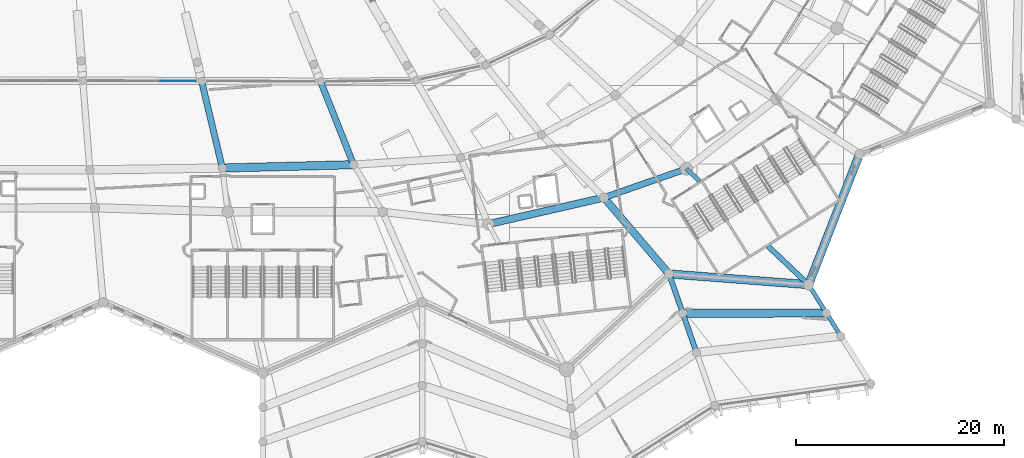
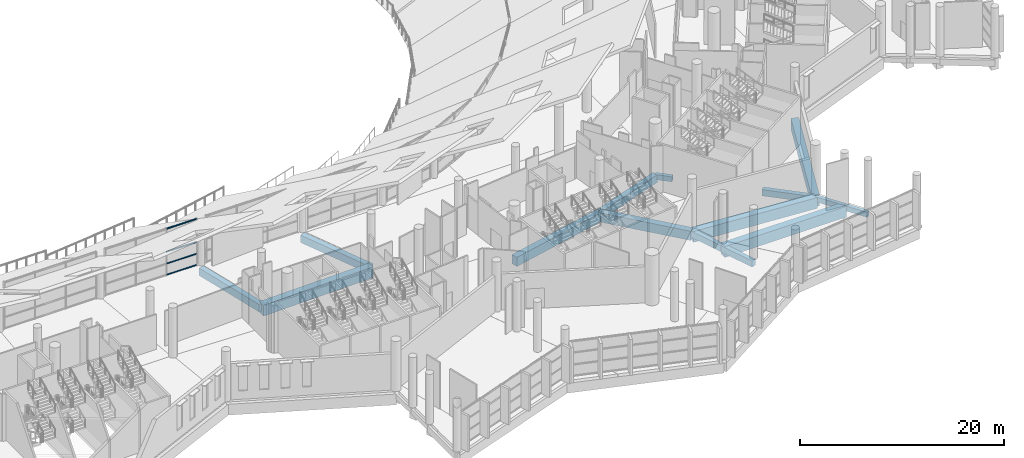
# One storey, part 33 of 249: 15 beams, 4 members, 1 element without a shape of its own.
"""IFC4 building model written with IfcOpenShell, lengths in metres."""

from ifc_helpers import new_model, si_unit, direction, frame, origin, origin_2d, place, context, subcontext, project, spatial, rectangle, extrude, material, layer, layer_set, material_profile, profile_set, type_object, element, aggregate, save


model = new_model("IFC4")

# Units and contexts
model_context = context("Model", 3, precision=1e-05, world=origin(), true_north=direction((0.0, 1.0)))
body_context = subcontext(model_context, "Body", "Model", "MODEL_VIEW")
ifc_project = project(units=[si_unit("LENGTHUNIT", "METRE"), si_unit("AREAUNIT", "SQUARE_METRE"), si_unit("VOLUMEUNIT", "CUBIC_METRE"), si_unit("PLANEANGLEUNIT", "RADIAN"), si_unit("MASSUNIT", "GRAM", prefix="KILO")], contexts=[model_context])

# Site, building, storey
site_placement = place(None, origin())
site = spatial("IfcSite", under=ifc_project, at=site_placement, CompositionType="ELEMENT")
building_placement = place(site_placement, origin())
building = spatial("IfcBuilding", under=site, at=building_placement, Name="Meseta Stadium", CompositionType="ELEMENT")
storey_placement = place(building_placement, frame((0.0, 0.0, 12.0)))
storey = spatial("IfcBuildingStorey", under=building, at=storey_placement, Name="L02", CompositionType="ELEMENT", Elevation=12.0)

# Curtain wall, members
ifc_material_1 = material(Name="Aluminium", Category="aluminium")
ifc_layer = layer(ifc_material_1, 0.199951171875)
ifc_layer_set = layer_set([ifc_layer], Name="Suite glazing curtain wall")
curtain_wall_type = type_object("IfcCurtainWallType", Name="Suite glazing curtain wall", PredefinedType="NOTDEFINED", material=ifc_layer_set)
curtain_wall_placement = place(storey_placement, origin())
curtain_wall = element("IfcCurtainWall", 1, at=curtain_wall_placement, inside=storey, type_object=curtain_wall_type, Name="Suite glazing bay 47", PredefinedType="NOTDEFINED")
ifc_material_2 = material(Name="Aluminium", Category="aluminium")
ifc_material_profile_1 = material_profile(ifc_material_2, rectangle(XDim=0.06005859375, YDim=0.14990234375, at=origin_2d()), Name="CW 60x150")
ifc_profile_set_1 = profile_set([ifc_material_profile_1], Name="Aluminium")
member_type = type_object("IfcMemberType", Name="CW transom 60x150", PredefinedType="USERDEFINED", material=ifc_profile_set_1)
member_1_placement = place(storey_placement, frame((13.181884765625, -77.322265625, 0.074951171875), z_axis=(0.999996827151, -0.002519064989, 0.0), x_axis=(0.002519064989, 0.999996827151, 0.0)))
member_1 = element("IfcMember", 2, at=member_1_placement, type_object=member_type, Name="CWS transom 3.1", ObjectType="TRANSOM", PredefinedType="USERDEFINED", context=body_context, shape_type="SweptSolid", body=[
    extrude(rectangle(XDim=0.06005859375, YDim=0.14990234375, at=origin_2d()), origin(), (0.0, 0.0, 1.0), 3.39208984375),
])
member_2_placement = place(storey_placement, frame((13.181884765625, -77.322265625, 1.41259765625), z_axis=(0.999996827151, -0.002519064989, 0.0), x_axis=(0.002519064989, 0.999996827151, 0.0)))
member_2 = element("IfcMember", 3, at=member_2_placement, type_object=member_type, Name="CWS transom 3.2", ObjectType="TRANSOM", PredefinedType="USERDEFINED", context=body_context, shape_type="SweptSolid", body=[
    extrude(rectangle(XDim=0.06005859375, YDim=0.14990234375, at=origin_2d()), origin(), (0.0, 0.0, 1.0), 3.39208984375),
])
member_3_placement = place(storey_placement, frame((13.181884765625, -77.322265625, 2.824951171875), z_axis=(0.999996827151, -0.002519064989, 0.0), x_axis=(0.002519064989, 0.999996827151, 0.0)))
member_3 = element("IfcMember", 4, at=member_3_placement, type_object=member_type, Name="CWS transom 3.3", ObjectType="TRANSOM", PredefinedType="USERDEFINED", context=body_context, shape_type="SweptSolid", body=[
    extrude(rectangle(XDim=0.06005859375, YDim=0.14990234375, at=origin_2d()), origin(), (0.0, 0.0, 1.0), 3.39208984375),
])
member_4_placement = place(storey_placement, frame((13.181884765625, -77.322265625, 5.574951171875), z_axis=(0.999996827151, -0.002519064989, 0.0), x_axis=(0.002519064989, 0.999996827151, 0.0)))
member_4 = element("IfcMember", 5, at=member_4_placement, type_object=member_type, Name="CWS transom 3.4", ObjectType="TRANSOM", PredefinedType="USERDEFINED", context=body_context, shape_type="SweptSolid", body=[
    extrude(rectangle(XDim=0.06005859375, YDim=0.14990234375, at=origin_2d()), origin(), (0.0, 0.0, 1.0), 3.39208984375),
])
aggregate(curtain_wall, [member_1, member_2, member_3, member_4])

# Beams
ifc_material_3 = material(Name="Concrete C40/50", Category="concrete")
ifc_material_profile_2 = material_profile(ifc_material_3, rectangle(XDim=0.39990234375, YDim=0.60009765625, at=origin_2d()), Name="RC 400x600")
ifc_profile_set_2 = profile_set([ifc_material_profile_2], Name="Concrete C40/50")
beam_type_1 = type_object("IfcBeamType", Name="RC beam 400x600", PredefinedType="BEAM", material=ifc_profile_set_2)
beam_1_placement = place(storey_placement, frame((63.731201171875, -85.77099609375, -0.64990234375), z_axis=(0.725600801439, -0.688115889187, 0.0), x_axis=(0.688115889187, 0.725600801439, 0.0)))
element("IfcBeam", 6, at=beam_1_placement, inside=storey, type_object=beam_type_1, Name="L02 radial beam frame 52 line P to R", PredefinedType="BEAM", context=body_context, shape_type="SweptSolid", body=[
    extrude(rectangle(XDim=0.39990234375, YDim=0.60009765625, at=origin_2d()), origin(), (0.0, 0.0, 1.0), 1.732421875),
])
beam_2_placement = place(storey_placement, frame((75.474609375, -96.908447265625, -0.64990234375), z_axis=(0.532008453304, -0.846739042216, 0.0), x_axis=(0.846739042216, 0.532008453304, 0.0)))
element("IfcBeam", 7, at=beam_2_placement, inside=storey, type_object=beam_type_1, Name="L02 radial beam frame 52 line R to M", PredefinedType="BEAM", context=body_context, shape_type="SweptSolid", body=[
    extrude(rectangle(XDim=0.39990234375, YDim=0.60009765625, at=origin_2d()), origin(), (0.0, 0.0, 1.0), 3.21923828125),
])
beam_3_placement = place(storey_placement, frame((77.187255859375, -99.63427734375, -0.64990234375), z_axis=(0.532083725107, -0.84669174407, 0.0), x_axis=(0.84669174407, 0.532083725107, 0.0)))
element("IfcBeam", 8, at=beam_3_placement, inside=storey, type_object=beam_type_1, Name="L02 radial beam frame 52 line M to Q", PredefinedType="BEAM", context=body_context, shape_type="SweptSolid", body=[
    extrude(rectangle(XDim=0.39990234375, YDim=0.60009765625, at=origin_2d()), origin(), (0.0, 0.0, 1.0), 2.619140625),
])
ifc_material_4 = material(Name="Concrete C40/50", Category="concrete")
ifc_material_profile_3 = material_profile(ifc_material_4, rectangle(XDim=0.5, YDim=0.75, at=origin_2d()), Name="RC 500x750")
ifc_profile_set_3 = profile_set([ifc_material_profile_3], Name="Concrete C40/50")
beam_type_2 = type_object("IfcBeamType", Name="RC beam 500x750", PredefinedType="BEAM", material=ifc_profile_set_3)
beam_4_placement = place(storey_placement, frame((71.57958984375, -93.214599609375, -0.72509765625), z_axis=(0.725596444109, -0.688120483852, 0.0), x_axis=(0.688120483852, 0.725596444109, 0.0)))
element("IfcBeam", 9, at=beam_4_placement, inside=storey, type_object=beam_type_2, Name="L02 radial beam frame 52 line P to R", PredefinedType="BEAM", context=body_context, shape_type="SweptSolid", body=[
    extrude(rectangle(XDim=0.5, YDim=0.75, at=origin_2d()), origin(), (0.0, 0.0, 1.0), 5.367919921875),
])
for number, where, z_axis, x_axis, name in (
    (10, (62.051513671875, -95.872802734375, -0.72509765625), (0.330328674497, -0.943865968666, 0.0), (0.943865968666, 0.330328674497, 0.0), "L02 radial beam frame 51 line R to M"),
    (11, (63.372802734375, -99.648193359375, -0.72509765625), (0.330255269735, -0.94389165523, 0.0), (0.94389165523, 0.330255269735, 0.0), "L02 radial beam frame 51 line M to Q"),
):
    element("IfcBeam", number, at=place(storey_placement, frame(where, z_axis=z_axis, x_axis=x_axis)), inside=storey, type_object=beam_type_2, Name=name, PredefinedType="BEAM", context=body_context, shape_type="SweptSolid", body=[
        extrude(rectangle(XDim=0.5, YDim=0.75, at=origin_2d()), origin(), (0.0, 0.0, 1.0), 4.0),
    ])
ifc_material_5 = material(Name="Concrete C40/50", Category="concrete")
ifc_material_profile_4 = material_profile(ifc_material_5, rectangle(XDim=0.60009765625, YDim=0.89990234375, at=origin_2d()), Name="RC 600x900")
ifc_profile_set_4 = profile_set([ifc_material_profile_4], Name="Concrete C40/50")
beam_type_3 = type_object("IfcBeamType", Name="RC beam 600x900", PredefinedType="BEAM", material=ifc_profile_set_4)
beam_5_placement = place(storey_placement, frame((55.799560546875, -88.541748046875, -0.800048828125), z_axis=(0.944055708451, 0.329786020537, 0.0), x_axis=(-0.329786020537, 0.944055708451, 0.0)))
element("IfcBeam", 12, at=beam_5_placement, inside=storey, type_object=beam_type_3, Name="L02 ring beam frame 51 line P", PredefinedType="BEAM", context=body_context, shape_type="SweptSolid", body=[
    extrude(rectangle(XDim=0.60009765625, YDim=0.89990234375, at=origin_2d()), origin(), (0.0, 0.0, 1.0), 8.401611328125),
])
beam_6_placement = place(storey_placement, frame((17.126708984375, -77.33203125, -0.800048828125), z_axis=(0.23161924801, -0.972806519279, 0.0), x_axis=(0.972806519279, 0.23161924801, 0.0)))
element("IfcBeam", 13, at=beam_6_placement, inside=storey, type_object=beam_type_3, Name="L02 radial beam frame 48 line D to E", PredefinedType="BEAM", context=body_context, shape_type="SweptSolid", body=[
    extrude(rectangle(XDim=0.60009765625, YDim=0.89990234375, at=origin_2d()), origin(), (0.0, 0.0, 1.0), 8.60009765625),
])
beam_7_placement = place(storey_placement, frame((28.564697265625, -77.38330078125, -0.800048828125), z_axis=(0.36885875695, -0.929485458424, 0.0), x_axis=(0.929485458424, 0.36885875695, 0.0)))
element("IfcBeam", 14, at=beam_7_placement, inside=storey, type_object=beam_type_3, Name="L02 radial beam frame 49 line D to E", PredefinedType="BEAM", context=body_context, shape_type="SweptSolid", body=[
    extrude(rectangle(XDim=0.60009765625, YDim=0.89990234375, at=origin_2d()), origin(), (0.0, 0.0, 1.0), 8.599853515625),
])
ifc_material_6 = material(Name="Concrete C40/50", Category="concrete")
ifc_material_profile_5 = material_profile(ifc_material_6, rectangle(XDim=0.699951171875, YDim=1.10009765625, at=origin_2d()), Name="RC 700x1100")
ifc_profile_set_5 = profile_set([ifc_material_profile_5], Name="Concrete C40/50")
beam_type_4 = type_object("IfcBeamType", Name="RC beam 700x1100", PredefinedType="BEAM", material=ifc_profile_set_5)
beam_8_placement = place(storey_placement, frame((44.6826171875, -91.0908203125, -0.89990234375), z_axis=(0.974704832518, 0.22349606141, 0.0), x_axis=(-0.22349606141, 0.974704832518, 0.0)))
element("IfcBeam", 15, at=beam_8_placement, inside=storey, type_object=beam_type_4, Name="L02 ring beam frame 50 line P", PredefinedType="BEAM", context=body_context, shape_type="SweptSolid", body=[
    extrude(rectangle(XDim=0.699951171875, YDim=1.10009765625, at=origin_2d()), origin(), (0.0, 0.0, 1.0), 11.405517578125),
])
beam_9_placement = place(storey_placement, frame((55.799560546875, -88.541748046875, -0.89990234375), z_axis=(0.648886206148, -0.760885465409, 0.0), x_axis=(0.760885465409, 0.648886206148, 0.0)))
element("IfcBeam", 16, at=beam_9_placement, inside=storey, type_object=beam_type_4, Name="L02 radial beam frame 51 line P to R", PredefinedType="BEAM", context=body_context, shape_type="SweptSolid", body=[
    extrude(rectangle(XDim=0.699951171875, YDim=1.10009765625, at=origin_2d()), origin(), (0.0, 0.0, 1.0), 9.635009765625),
])
ifc_material_7 = material(Name="Concrete C40/50", Category="concrete")
ifc_material_profile_6 = material_profile(ifc_material_7, rectangle(XDim=0.800048828125, YDim=1.300048828125, at=origin_2d()), Name="RC 800x1300")
ifc_profile_set_6 = profile_set([ifc_material_profile_6], Name="Concrete C40/50")
beam_type_5 = type_object("IfcBeamType", Name="RC beam 800x1300", PredefinedType="BEAM", material=ifc_profile_set_6)
beam_10_placement = place(storey_placement, frame((19.11865234375, -85.6982421875, -1.0), z_axis=(0.999675497622, 0.02547350496, 0.0), x_axis=(-0.02547350496, 0.999675497622, 0.0)))
element("IfcBeam", 17, at=beam_10_placement, inside=storey, type_object=beam_type_5, Name="L02 ring beam frame 48 line E", PredefinedType="BEAM", context=body_context, shape_type="SweptSolid", body=[
    extrude(rectangle(XDim=0.800048828125, YDim=1.300048828125, at=origin_2d()), origin(), (0.0, 0.0, 1.0), 12.622314453125),
])
for number, where, z_axis, x_axis, name in (
    (18, (62.051513671875, -95.872802734375, -1.0), (0.997036858399, -0.076925307894, 0.0), (0.076925307894, 0.997036858399, 0.0), "L02 ring beam frame 51 line R"),
    (19, (75.474609375, -96.908447265625, -1.0), (0.363287980868, 0.93167689837, 0.0), (-0.93167689837, 0.363287980868, 0.0), "L02 ring beam frame 52 line R"),
):
    element("IfcBeam", number, at=place(storey_placement, frame(where, z_axis=z_axis, x_axis=x_axis)), inside=storey, type_object=beam_type_5, Name=name, PredefinedType="BEAM", context=body_context, shape_type="SweptSolid", body=[
        extrude(rectangle(XDim=0.800048828125, YDim=1.300048828125, at=origin_2d()), origin(), (0.0, 0.0, 1.0), 13.462890625),
    ])
beam_11_placement = place(storey_placement, frame((63.372802734375, -99.648193359375, -1.0), z_axis=(0.999999492621, 0.00100735139, 0.0), x_axis=(-0.00100735139, 0.999999492621, 0.0)))
element("IfcBeam", 20, at=beam_11_placement, inside=storey, type_object=beam_type_5, Name="L02 ring beam frame 51 line M", PredefinedType="BEAM", context=body_context, shape_type="SweptSolid", body=[
    extrude(rectangle(XDim=0.800048828125, YDim=1.300048828125, at=origin_2d()), origin(), (0.0, 0.0, 1.0), 13.814453125),
])

save(model, "model.ifc")
